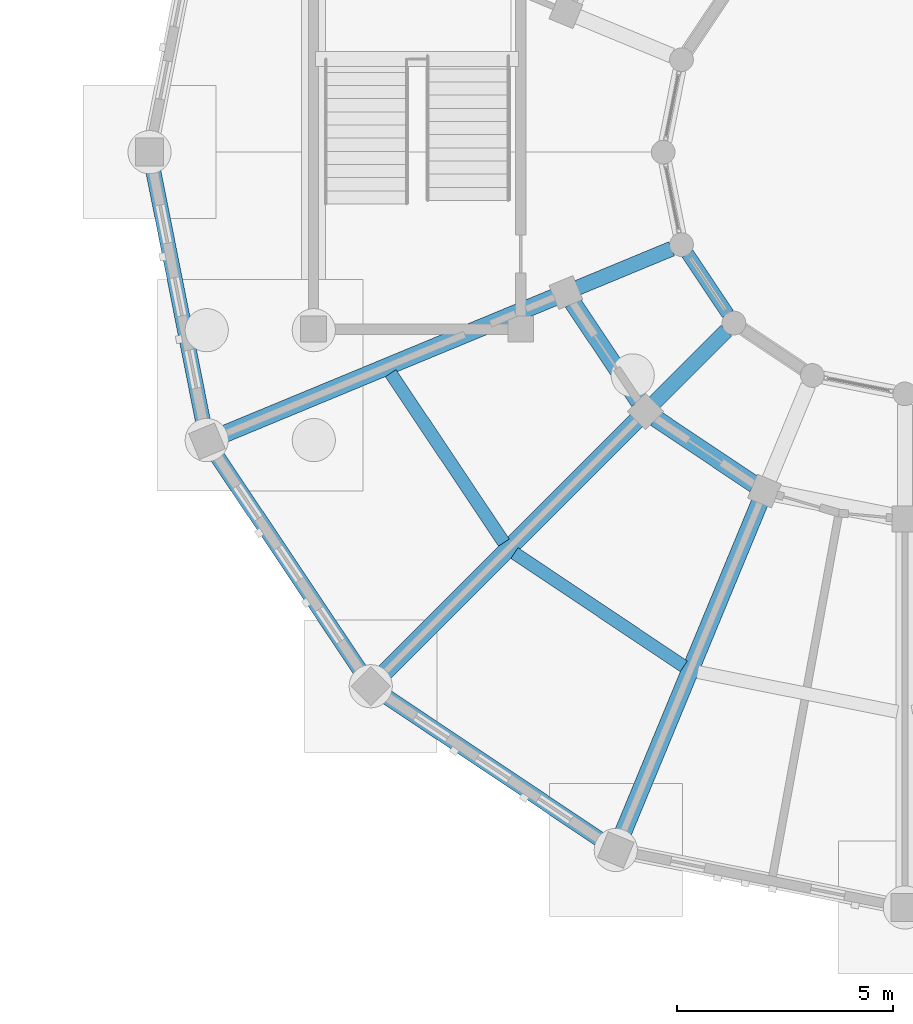
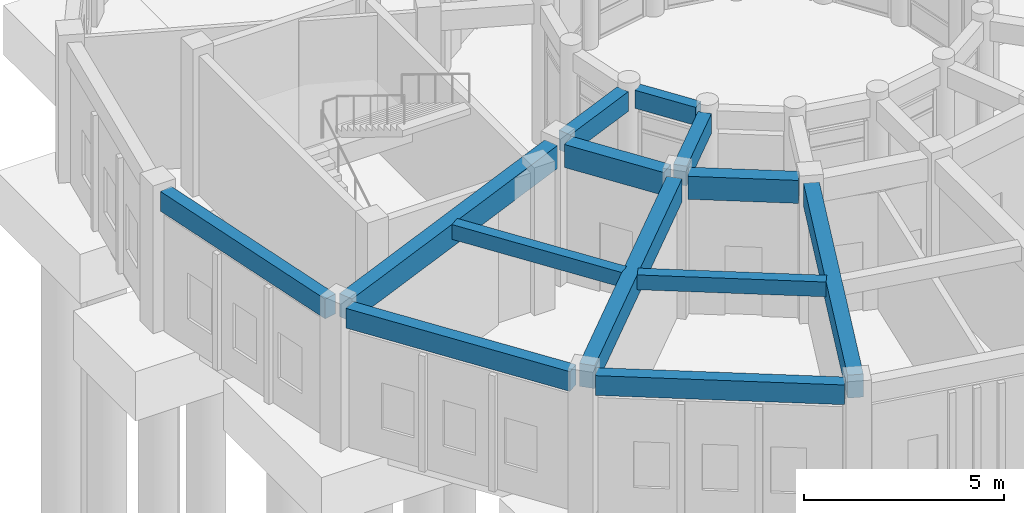
# One storey, part 15 of 153: 13 beams.
"""IFC4 building model written with IfcOpenShell, lengths in metres."""

from ifc_helpers import new_model, si_unit, direction, frame, origin, origin_2d, place, context, subcontext, project, spatial, rectangle, extrude, material, material_profile, profile_set, type_object, element, save


model = new_model("IFC4")

# Units and contexts
model_context = context("Model", 3, precision=1e-05, world=origin(), true_north=direction((0.0, 1.0)))
body_context = subcontext(model_context, "Body", "Model", "MODEL_VIEW")
ifc_project = project(units=[si_unit("LENGTHUNIT", "METRE"), si_unit("AREAUNIT", "SQUARE_METRE"), si_unit("VOLUMEUNIT", "CUBIC_METRE"), si_unit("PLANEANGLEUNIT", "RADIAN"), si_unit("MASSUNIT", "GRAM", prefix="KILO")], contexts=[model_context])

# Site, building, storey
site_placement = place(None, origin())
site = spatial("IfcSite", under=ifc_project, at=site_placement, CompositionType="ELEMENT")
building_placement = place(site_placement, origin())
building = spatial("IfcBuilding", under=site, at=building_placement, Name="Celadon Cloister-Ring School", CompositionType="ELEMENT")
storey_placement = place(building_placement, origin())
storey = spatial("IfcBuildingStorey", under=building, at=storey_placement, Name="L00", CompositionType="ELEMENT", Elevation=0.0)

# Beams
ifc_material_1 = material(Name="Concrete C35/45", Category="concrete")
ifc_material_profile_1 = material_profile(ifc_material_1, rectangle(XDim=0.35009765625, YDim=0.60009765625, at=origin_2d()), Name="RC350X600")
ifc_profile_set_1 = profile_set([ifc_material_profile_1], Name="Concrete C35/45")
beam_type_1 = type_object("IfcBeamType", Name="BT-02", PredefinedType="BEAM", material=ifc_profile_set_1)
beam_1_placement = place(storey_placement, frame((12.60107421875, 16.85205078125, 3.9599609375), z_axis=(0.92384765409, 0.382760384618, 0.0), x_axis=(-0.382760384618, 0.92384765409, 0.0)))
element("IfcBeam", 1, at=beam_1_placement, inside=storey, type_object=beam_type_1, Name="Beam 0861", PredefinedType="BEAM", context=body_context, shape_type="SweptSolid", body=[
    extrude(rectangle(XDim=0.35009765625, YDim=0.60009765625, at=origin_2d()), origin(), (0.0, 0.0, 1.0), 2.374755859375),
])
beam_2_placement = place(storey_placement, frame((14.384033203125, 14.18408203125, 3.9599609375), z_axis=(0.707106781187, 0.707106781187, 0.0), x_axis=(-0.707106781187, 0.707106781187, 0.0)))
element("IfcBeam", 2, at=beam_2_placement, inside=storey, type_object=beam_type_1, Name="Beam 0863", PredefinedType="BEAM", context=body_context, shape_type="SweptSolid", body=[
    extrude(rectangle(XDim=0.35009765625, YDim=0.60009765625, at=origin_2d()), origin(), (0.0, 0.0, 1.0), 2.37451171875),
])
ifc_material_2 = material(Name="Concrete C35/45", Category="concrete")
ifc_material_profile_2 = material_profile(ifc_material_2, rectangle(XDim=0.39990234375, YDim=0.699951171875, at=origin_2d()), Name="RC400X700")
ifc_profile_set_2 = profile_set([ifc_material_profile_2], Name="Concrete C35/45")
beam_type_2 = type_object("IfcBeamType", Name="GT-03", PredefinedType="USERDEFINED", material=ifc_profile_set_2)
beam_3_placement = place(storey_placement, frame((4.30908203125, 13.41796875, 3.909912109375), z_axis=(0.923883333463, 0.382674255927, 0.0), x_axis=(-0.382674255927, 0.923883333463, 0.0)))
element("IfcBeam", 3, at=beam_3_placement, inside=storey, type_object=beam_type_2, Name="Beam 0860", ObjectType="GIRDER", PredefinedType="USERDEFINED", context=body_context, shape_type="SweptSolid", body=[
    extrude(rectangle(XDim=0.39990234375, YDim=0.699951171875, at=origin_2d()), origin(), (0.0, 0.0, 1.0), 8.42529296875),
])
beam_4_placement = place(storey_placement, frame((8.0380859375, 7.837890625, 3.909912109375), z_axis=(0.707106781187, 0.707106781187, 0.0), x_axis=(-0.707106781187, 0.707106781187, 0.0)))
element("IfcBeam", 4, at=beam_4_placement, inside=storey, type_object=beam_type_2, Name="Beam 0862", ObjectType="GIRDER", PredefinedType="USERDEFINED", context=body_context, shape_type="SweptSolid", body=[
    extrude(rectangle(XDim=0.39990234375, YDim=0.699951171875, at=origin_2d()), origin(), (0.0, 0.0, 1.0), 8.42578125),
])
beam_5_placement = place(storey_placement, frame((13.617919921875, 4.10888671875, 3.909912109375), z_axis=(0.382664011358, 0.923887576717, 0.0), x_axis=(-0.923887576717, 0.382664011358, 0.0)))
element("IfcBeam", 5, at=beam_5_placement, inside=storey, type_object=beam_type_2, Name="Beam 0864", ObjectType="GIRDER", PredefinedType="USERDEFINED", context=body_context, shape_type="SweptSolid", body=[
    extrude(rectangle(XDim=0.39990234375, YDim=0.699951171875, at=origin_2d()), origin(), (0.0, 0.0, 1.0), 8.425537109375),
])
beam_6_placement = place(storey_placement, frame((12.5, 16.51806640625, 3.909912109375), z_axis=(0.555799794079, -0.83131617866, 0.0), x_axis=(0.83131617866, 0.555799794079, 0.0)))
element("IfcBeam", 6, at=beam_6_placement, inside=storey, type_object=beam_type_2, Name="Beam 0899", ObjectType="GIRDER", PredefinedType="USERDEFINED", context=body_context, shape_type="SweptSolid", body=[
    extrude(rectangle(XDim=0.39990234375, YDim=0.699951171875, at=origin_2d()), origin(), (0.0, 0.0, 1.0), 2.765625),
])
beam_7_placement = place(storey_placement, frame((14.4189453125, 13.8369140625, 3.909912109375), z_axis=(0.831356966973, -0.555738781682, 0.0), x_axis=(0.555738781682, 0.831356966973, 0.0)))
element("IfcBeam", 7, at=beam_7_placement, inside=storey, type_object=beam_type_2, Name="Beam 0903", ObjectType="GIRDER", PredefinedType="USERDEFINED", context=body_context, shape_type="SweptSolid", body=[
    extrude(rectangle(XDim=0.39990234375, YDim=0.699951171875, at=origin_2d()), origin(), (0.0, 0.0, 1.0), 2.765380859375),
])
ifc_material_3 = material(Name="Concrete C35/45", Category="concrete")
ifc_material_profile_3 = material_profile(ifc_material_3, rectangle(XDim=0.300048828125, YDim=0.449951171875, at=origin_2d()), Name="RC300X450")
ifc_profile_set_3 = profile_set([ifc_material_profile_3], Name="Concrete C35/45")
beam_type_3 = type_object("IfcBeamType", Name="JT-01", PredefinedType="JOIST", material=ifc_profile_set_3)
beam_8_placement = place(storey_placement, frame((8.287109375, 14.87890625, 4.034912109375), z_axis=(0.555761854047, -0.831341543282, 0.0), x_axis=(0.831341543282, 0.555761854047, 0.0)))
element("IfcBeam", 8, at=beam_8_placement, inside=storey, type_object=beam_type_3, Name="Beam 0901", PredefinedType="JOIST", context=body_context, shape_type="SweptSolid", body=[
    extrude(rectangle(XDim=0.300048828125, YDim=0.449951171875, at=origin_2d()), origin(), (0.0, 0.0, 1.0), 4.720947265625),
])
beam_9_placement = place(storey_placement, frame((11.154052734375, 10.7109375, 4.034912109375), z_axis=(0.831333623542, -0.55577370068, 0.0), x_axis=(0.55577370068, 0.831333623542, 0.0)))
element("IfcBeam", 9, at=beam_9_placement, inside=storey, type_object=beam_type_3, Name="Beam 0905", PredefinedType="JOIST", context=body_context, shape_type="SweptSolid", body=[
    extrude(rectangle(XDim=0.300048828125, YDim=0.449951171875, at=origin_2d()), origin(), (0.0, 0.0, 1.0), 4.721435546875),
])
ifc_material_4 = material(Name="Concrete C35/45", Category="concrete")
ifc_material_profile_4 = material_profile(ifc_material_4, rectangle(XDim=0.35009765625, YDim=0.60009765625, at=origin_2d()), Name="RC350X600")
ifc_profile_set_4 = profile_set([ifc_material_profile_4], Name="Concrete C35/45")
beam_type_4 = type_object("IfcBeamType", Name="SP-01", PredefinedType="SPANDREL", material=ifc_profile_set_4)
for number, where, z_axis, x_axis, name in (
    (10, (2.759033203125, 19.7060546875, 3.9599609375), (0.194887307107, -0.980825640738, 0.0), (0.980825640738, 0.194887307107, 0.0), "Beam 0896"),
    (11, (4.198974609375, 13.053955078125, 3.9599609375), (0.555514042993, -0.831507154531, 0.0), (0.831507154531, 0.555514042993, 0.0), "Beam 0898"),
    (12, (8.074951171875, 7.458984375, 3.9599609375), (0.831507154531, -0.555514042993, 0.0), (0.555514042993, 0.831507154531, 0.0), "Beam 0902"),
):
    element("IfcBeam", number, at=place(storey_placement, frame(where, z_axis=z_axis, x_axis=x_axis)), inside=storey, type_object=beam_type_4, Name=name, PredefinedType="SPANDREL", context=body_context, shape_type="SweptSolid", body=[
        extrude(rectangle(XDim=0.35009765625, YDim=0.60009765625, at=origin_2d()), origin(), (0.0, 0.0, 1.0), 6.228515625),
    ])
ifc_material_5 = material(Name="Concrete C35/45", Category="concrete")
ifc_material_profile_5 = material_profile(ifc_material_5, rectangle(XDim=0.300048828125, YDim=0.550048828125, at=origin_2d()), Name="RC300X550")
ifc_profile_set_5 = profile_set([ifc_material_profile_5], Name="Concrete C35/45")
beam_type_5 = type_object("IfcBeamType", Name="SP-02", PredefinedType="SPANDREL", material=ifc_profile_set_5)
beam_10_placement = place(storey_placement, frame((15.1650390625, 17.64892578125, 3.985107421875), z_axis=(0.555569328961, -0.831470216374, 0.0), x_axis=(0.831470216374, 0.555569328961, 0.0)))
element("IfcBeam", 13, at=beam_10_placement, inside=storey, type_object=beam_type_5, Name="Beam 0900", PredefinedType="SPANDREL", context=body_context, shape_type="SweptSolid", body=[
    extrude(rectangle(XDim=0.300048828125, YDim=0.550048828125, at=origin_2d()), origin(), (0.0, 0.0, 1.0), 1.684814453125),
])

save(model, "model.ifc")
